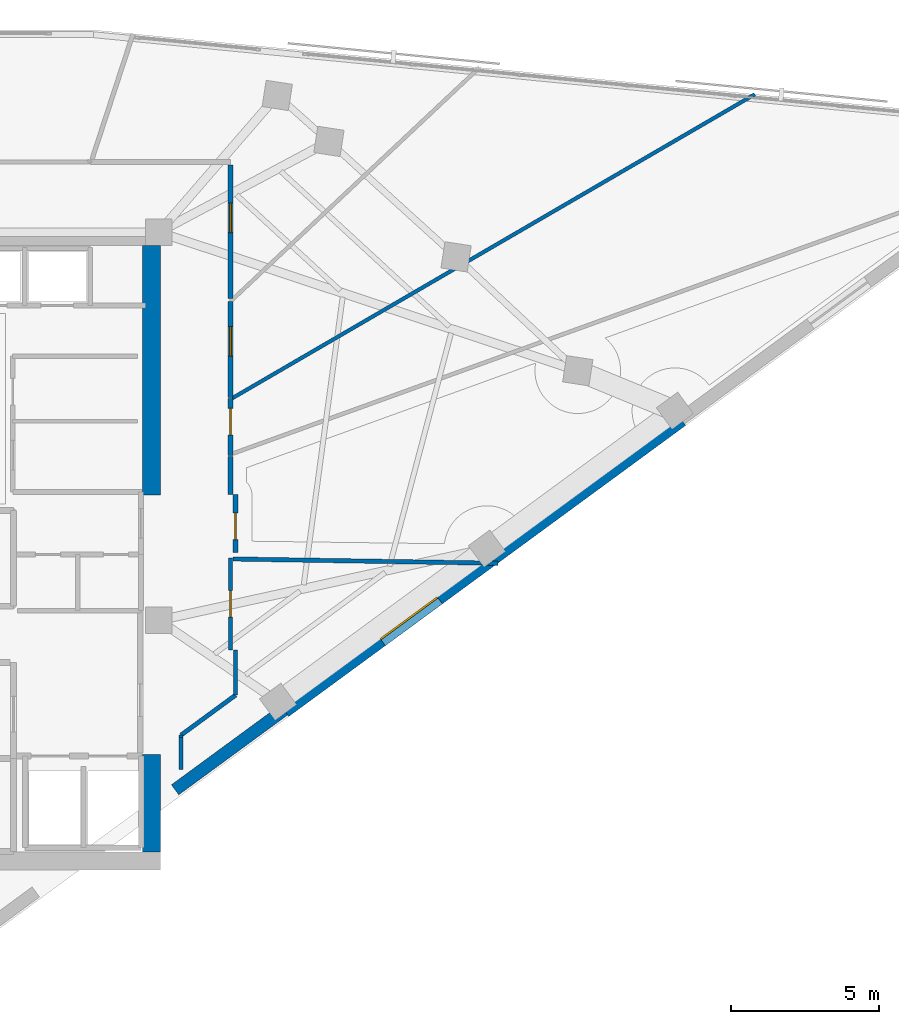
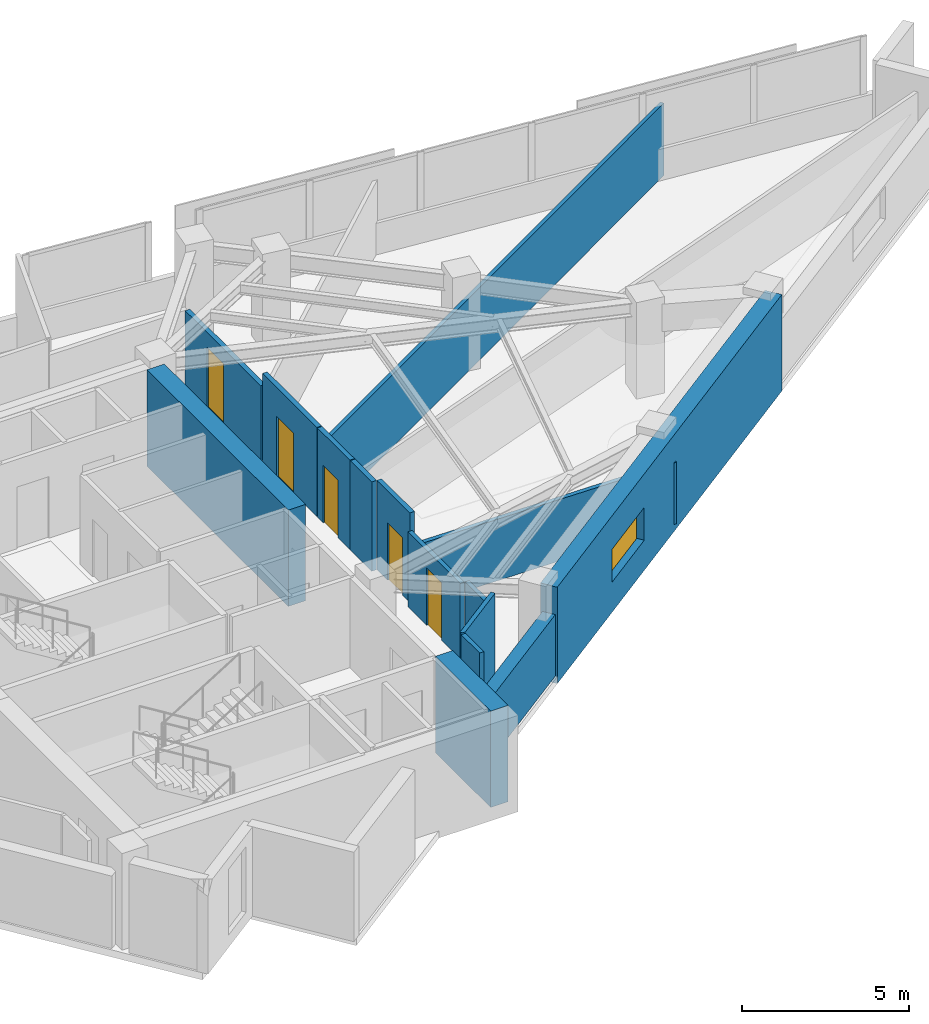
# One storey, part 11 of 14: 16 walls, 5 doors, 1 window, 6 openings.
"""IFC4 building model written with IfcOpenShell, lengths in metres."""

from ifc_helpers import new_model, si_unit, direction, frame, frame_2d, origin, place, context, subcontext, project, spatial, rectangle, extrude, material, layer, layer_set, type_object, element, fill, save


model = new_model("IFC4")

# Units and contexts
model_context = context("Model", 3, precision=1e-05, world=origin(), true_north=direction((0.0, 1.0)))
body_context = subcontext(model_context, "Body", "Model", "MODEL_VIEW")
ifc_project = project(units=[si_unit("LENGTHUNIT", "METRE"), si_unit("AREAUNIT", "SQUARE_METRE"), si_unit("VOLUMEUNIT", "CUBIC_METRE"), si_unit("PLANEANGLEUNIT", "RADIAN"), si_unit("MASSUNIT", "GRAM", prefix="KILO")], contexts=[model_context])

# Site, building, storey
site_placement = place(None, origin())
site = spatial("IfcSite", under=ifc_project, at=site_placement, CompositionType="ELEMENT")
building_placement = place(site_placement, origin())
building = spatial("IfcBuilding", under=site, at=building_placement, Name="Narakoshi Arena Tower", CompositionType="ELEMENT")
storey_placement = place(building_placement, frame((0.0, 0.0, 250.179931640625)))
storey = spatial("IfcBuildingStorey", under=building, at=storey_placement, Name="L68", CompositionType="ELEMENT", Elevation=250.179931640625)

# Walls
ifc_material_1 = material(Name="Concrete C50/60", Category="concrete")
ifc_layer_1 = layer(ifc_material_1, 0.60009765625)
ifc_layer_set_1 = layer_set([ifc_layer_1], Name="Concrete C50/60")
wall_type_1 = type_object("IfcWallType", Name="WL-CORE-600", PredefinedType="SHEAR", material=ifc_layer_set_1)
wall_1_placement = place(storey_placement, frame((85.300048828125, 35.5, -0.260009765625), z_axis=(0.0, 0.0, 1.0), x_axis=(0.0, 1.0, 0.0)))
element("IfcWall", 1, at=wall_1_placement, inside=storey, type_object=wall_type_1, Name="L68 Central Core Shear Wall CW-APX-E", PredefinedType="SHEAR", context=body_context, shape_type="SweptSolid", body=[
    extrude(rectangle(XDim=3.300048828125, YDim=0.60009765625, at=frame_2d((1.64990234375, 0.0))), origin(), (0.0, 0.0, 1.0), 3.52001953125),
])
wall_2_placement = place(storey_placement, frame((85.300048828125, 47.60009765625, -0.260009765625), z_axis=(0.0, 0.0, 1.0), x_axis=(0.0, 1.0, 0.0)))
element("IfcWall", 2, at=wall_2_placement, inside=storey, type_object=wall_type_1, Name="L68 Main Core Shear Wall CW-MN-E", PredefinedType="SHEAR", context=body_context, shape_type="SweptSolid", body=[
    extrude(rectangle(XDim=8.449951171875, YDim=0.60009765625, at=frame_2d((4.22509765625, 0.0))), origin(), (0.0, 0.0, 1.0), 3.52001953125),
])

# Wall, opening, door
ifc_material_2 = material(Name="Gypsum plasterboard fire-rated partition")
ifc_layer_2 = layer(ifc_material_2, 0.1650390625)
ifc_layer_set_2 = layer_set([ifc_layer_2], Name="Gypsum plasterboard fire-rated partition")
wall_type_2 = type_object("IfcWallType", Name="WL-CORR-165", PredefinedType="PARTITIONING", material=ifc_layer_set_2)
wall_3_placement = place(storey_placement, frame((87.976318359375, 48.934326171875, 0.0), z_axis=(0.0, 0.0, 1.0), x_axis=(0.0, 1.0, 0.0)))
wall_3 = element("IfcWall", 3, at=wall_3_placement, inside=storey, type_object=wall_type_2, Name="L68 Corridor Partition 03-1", PredefinedType="PARTITIONING", context=body_context, shape_type="SweptSolid", body=[
    extrude(rectangle(XDim=1.939697265625, YDim=0.1650390625, at=frame_2d((0.9697265625, 0.0))), origin(), (0.0, 0.0, 1.0), 3.260009765625),
])
opening_1_placement = place(wall_3_placement, frame((0.698974609375, 0.0, 0.0)))
opening_1 = element("IfcOpeningElement", 4, at=opening_1_placement, cuts=wall_3, Name="Opening D-08", PredefinedType="OPENING", context=body_context, shape_type="SweptSolid", body=[
    extrude(rectangle(XDim=0.89990234375, YDim=2.10009765625, at=frame_2d((0.449951171875, 1.050048828125))), frame((0.0, 0.092529296875, 0.0), z_axis=(0.0, -1.0, 0.0), x_axis=(1.0, 0.0, 0.0)), (0.0, 0.0, 1.0), 0.18505859375),
])
ifc_material_3 = material(Name="Moisture-resistant laminate timber", Category="wood")
door_type_1 = type_object("IfcDoorType", Name="DR-WC-900", OperationType="NOTDEFINED", PredefinedType="DOOR", material=ifc_material_3)
door_1_placement = place(opening_1_placement, frame((0.89990234375, 0.0, 0.0), z_axis=(0.0, 0.0, 1.0), x_axis=(-1.0, 0.0, 0.0)))
door_1 = element("IfcDoor", 5, at=door_1_placement, inside=storey, type_object=door_type_1, Name="DR-L68-019", OperationType="SINGLE_SWING_RIGHT", OverallHeight=2.10009765625, OverallWidth=0.89990234375, PredefinedType="DOOR", context=body_context, shape_type="SweptSolid", body=[
    extrude(rectangle(XDim=0.89990234375, YDim=2.10009765625, at=frame_2d((0.449951171875, 1.050048828125))), frame((0.0, 0.02490234375, 0.0), z_axis=(0.0, -1.0, 0.0), x_axis=(1.0, 0.0, 0.0)), (0.0, 0.0, 1.0), 0.050048828125),
])
fill(opening_1, door_1)

wall_4_placement = place(storey_placement, frame((88.14990234375, 45.64990234375, 0.0), z_axis=(0.0, 0.0, 1.0), x_axis=(0.0, 1.0, 0.0)))
wall_4 = element("IfcWall", 6, at=wall_4_placement, inside=storey, type_object=wall_type_2, Name="L68 Corridor Partition 04-1", PredefinedType="PARTITIONING", context=body_context, shape_type="SweptSolid", body=[
    extrude(rectangle(XDim=1.97021484375, YDim=0.1650390625, at=frame_2d((0.985107421875, 0.0))), origin(), (0.0, 0.0, 1.0), 3.260009765625),
])
opening_2_placement = place(wall_4_placement, frame((0.4345703125, 0.0, 0.0)))
opening_2 = element("IfcOpeningElement", 7, at=opening_2_placement, cuts=wall_4, Name="Opening D-08", PredefinedType="OPENING", context=body_context, shape_type="SweptSolid", body=[
    extrude(rectangle(XDim=0.89990234375, YDim=2.10009765625, at=frame_2d((0.449951171875, 1.050048828125))), frame((0.0, 0.092529296875, 0.0), z_axis=(0.0, -1.0, 0.0), x_axis=(1.0, 0.0, 0.0)), (0.0, 0.0, 1.0), 0.18505859375),
])
door_2_placement = place(opening_2_placement, frame((0.89990234375, 0.0, 0.0), z_axis=(0.0, 0.0, 1.0), x_axis=(-1.0, 0.0, 0.0)))
door_2 = element("IfcDoor", 8, at=door_2_placement, inside=storey, type_object=door_type_1, Name="DR-L68-020", OperationType="SINGLE_SWING_LEFT", OverallHeight=2.10009765625, OverallWidth=0.89990234375, PredefinedType="DOOR", context=body_context, shape_type="SweptSolid", body=[
    extrude(rectangle(XDim=0.89990234375, YDim=2.10009765625, at=frame_2d((0.449951171875, 1.050048828125))), frame((0.0, 0.02490234375, 0.0), z_axis=(0.0, -1.0, 0.0), x_axis=(1.0, 0.0, 0.0)), (0.0, 0.0, 1.0), 0.050048828125),
])
fill(opening_2, door_2)

# Wall
wall_5_placement = place(storey_placement, frame((87.976318359375, 47.6201171875, 0.0), z_axis=(0.0, 0.0, 1.0), x_axis=(0.0, 1.0, 0.0)))
element("IfcWall", 9, at=wall_5_placement, inside=storey, type_object=wall_type_2, Name="L68 Corridor Partition 04-2", PredefinedType="PARTITIONING", context=body_context, shape_type="SweptSolid", body=[
    extrude(rectangle(XDim=1.28857421875, YDim=0.1650390625, at=frame_2d((0.644287109375, 0.0))), origin(), (0.0, 0.0, 1.0), 3.260009765625),
])

# Wall, opening, door
wall_6_placement = place(storey_placement, frame((87.976318359375, 50.901611328125, 0.0), z_axis=(0.0, 0.0, 1.0), x_axis=(0.0, 1.0, 0.0)))
wall_6 = element("IfcWall", 10, at=wall_6_placement, inside=storey, type_object=wall_type_2, Name="L68 Corridor Partition 05-1", PredefinedType="PARTITIONING", context=body_context, shape_type="SweptSolid", body=[
    extrude(rectangle(XDim=3.254150390625, YDim=0.1650390625, at=frame_2d((1.626953125, 0.0))), origin(), (0.0, 0.0, 1.0), 3.260009765625),
])
opening_3_placement = place(wall_6_placement, frame((1.405029296875, 0.0, 0.0)))
opening_3 = element("IfcOpeningElement", 11, at=opening_3_placement, cuts=wall_6, Name="Opening D-06", PredefinedType="OPENING", context=body_context, shape_type="SweptSolid", body=[
    extrude(rectangle(XDim=1.0, YDim=2.199951171875, at=frame_2d((0.5, 1.10009765625))), frame((0.0, 0.092529296875, 0.0), z_axis=(0.0, -1.0, 0.0), x_axis=(1.0, 0.0, 0.0)), (0.0, 0.0, 1.0), 0.18505859375),
])
ifc_material_4 = material(Name="Stained oak solid-core timber", Category="wood")
door_type_2 = type_object("IfcDoorType", Name="DR-OFF-1000", OperationType="NOTDEFINED", PredefinedType="DOOR", material=ifc_material_4)
door_3_placement = place(opening_3_placement, frame((1.0, 0.0, 0.0), z_axis=(0.0, 0.0, 1.0), x_axis=(-1.0, 0.0, 0.0)))
door_3 = element("IfcDoor", 12, at=door_3_placement, inside=storey, type_object=door_type_2, Name="DR-L68-021", OperationType="SINGLE_SWING_RIGHT", OverallHeight=2.199951171875, OverallWidth=1.0, PredefinedType="DOOR", context=body_context, shape_type="SweptSolid", body=[
    extrude(rectangle(XDim=1.0, YDim=2.199951171875, at=frame_2d((0.5, 1.10009765625))), frame((0.0, 0.02490234375, 0.0), z_axis=(0.0, -1.0, 0.0), x_axis=(1.0, 0.0, 0.0)), (0.0, 0.0, 1.0), 0.050048828125),
])
fill(opening_3, door_3)

wall_7_placement = place(storey_placement, frame((87.976318359375, 54.2578125, 0.0), z_axis=(0.0, 0.0, 1.0), x_axis=(0.0, 1.0, 0.0)))
wall_7 = element("IfcWall", 13, at=wall_7_placement, inside=storey, type_object=wall_type_2, Name="L68 Corridor Partition 06-2", PredefinedType="PARTITIONING", context=body_context, shape_type="SweptSolid", body=[
    extrude(rectangle(XDim=4.524169921875, YDim=0.1650390625, at=frame_2d((2.26220703125, 0.0))), origin(), (0.0, 0.0, 1.0), 2.7451171875),
])
opening_4_placement = place(wall_7_placement, frame((2.230712890625, 0.0, 0.0)))
opening_4 = element("IfcOpeningElement", 14, at=opening_4_placement, cuts=wall_7, Name="Opening D-06", PredefinedType="OPENING", context=body_context, shape_type="SweptSolid", body=[
    extrude(rectangle(XDim=1.0, YDim=2.199951171875, at=frame_2d((0.5, 1.10009765625))), frame((0.0, 0.092529296875, 0.0), z_axis=(0.0, -1.0, 0.0), x_axis=(1.0, 0.0, 0.0)), (0.0, 0.0, 1.0), 0.18505859375),
])
door_4_placement = place(opening_4_placement, frame((1.0, 0.0, 0.0), z_axis=(0.0, 0.0, 1.0), x_axis=(-1.0, 0.0, 0.0)))
door_4 = element("IfcDoor", 15, at=door_4_placement, inside=storey, type_object=door_type_2, Name="DR-L68-022", OperationType="SINGLE_SWING_LEFT", OverallHeight=2.199951171875, OverallWidth=1.0, PredefinedType="DOOR", context=body_context, shape_type="SweptSolid", body=[
    extrude(rectangle(XDim=1.0, YDim=2.199951171875, at=frame_2d((0.5, 1.10009765625))), frame((0.0, 0.02490234375, 0.0), z_axis=(0.0, -1.0, 0.0), x_axis=(1.0, 0.0, 0.0)), (0.0, 0.0, 1.0), 0.050048828125),
])
fill(opening_4, door_4)

# Wall, opening, window
ifc_layer_3 = layer(ifc_material_1, 0.550048828125)
ifc_layer_set_3 = layer_set([ifc_layer_3], Name="Concrete C50/60")
wall_type_3 = type_object("IfcWallType", Name="WL-LEG-550", PredefinedType="SHEAR", material=ifc_layer_set_3)
wall_8_placement = place(storey_placement, frame((89.79052734375, 40.31640625, -0.260009765625), z_axis=(0.0, 0.0, 1.0), x_axis=(0.806449218078, 0.591303355868, 0.0)))
wall_8 = element("IfcWall", 16, at=wall_8_placement, inside=storey, type_object=wall_type_3, Name="L68 Architectural Concrete Structural Wall LEGA-3", PredefinedType="SHEAR", context=body_context, shape_type="SweptSolid", body=[
    extrude(rectangle(XDim=16.673095703125, YDim=0.550048828125, at=frame_2d((8.33642578125, 0.0))), origin(), (0.0, 0.0, 1.0), 3.52001953125),
])
opening_5_placement = place(wall_8_placement, frame((4.0537109375, 0.0, 1.10009765625)))
opening_5 = element("IfcOpeningElement", 17, at=opening_5_placement, cuts=wall_8, Name="Opening WN-04", PredefinedType="OPENING", context=body_context, shape_type="SweptSolid", body=[
    extrude(rectangle(XDim=2.39990234375, YDim=1.199951171875, at=frame_2d((1.199951171875, 0.60009765625))), frame((0.0, 0.284912109375, 0.0), z_axis=(0.0, -1.0, 0.0), x_axis=(1.0, 0.0, 0.0)), (0.0, 0.0, 1.0), 0.570068359375),
])
ifc_material_5 = material(Name="Bronze-tinted low-E laminated glass", Category="glass")
window_type = type_object("IfcWindowType", Name="WIN-SLT-24x12", PartitioningType="SINGLE_PANEL", PredefinedType="WINDOW", material=ifc_material_5)
window_placement = place(opening_5_placement, origin())
window = element("IfcWindow", 18, at=window_placement, inside=storey, type_object=window_type, Name="L68 LEGA3 Horizontal Slot Window 1", OverallHeight=1.199951171875, OverallWidth=2.39990234375, PartitioningType="SINGLE_PANEL", PredefinedType="WINDOW", context=body_context, shape_type="SweptSolid", body=[
    extrude(rectangle(XDim=2.39990234375, YDim=1.199951171875, at=frame_2d((1.199951171875, 0.60009765625))), frame((0.0, 0.030029296875, 0.0), z_axis=(0.0, -1.0, 0.0), x_axis=(1.0, 0.0, 0.0)), (0.0, 0.0, 1.0), 0.06005859375),
])
fill(opening_5, window)

# Walls
ifc_layer_4 = layer(ifc_material_2, 0.125)
ifc_layer_set_4 = layer_set([ifc_layer_4], Name="Gypsum plasterboard fire-rated partition")
wall_type_4 = type_object("IfcWallType", Name="WL-PART-125", PredefinedType="PARTITIONING", material=ifc_layer_set_4)
wall_9_placement = place(storey_placement, frame((88.03173828125, 50.8740234375, 0.0), z_axis=(0.0, 0.0, 1.0), x_axis=(0.864436485223, 0.502742044209, 0.0)))
element("IfcWall", 19, at=wall_9_placement, inside=storey, type_object=wall_type_4, Name="L68 Inter-Room Partition 03-05", PredefinedType="PARTITIONING", context=body_context, shape_type="SweptSolid", body=[
    extrude(rectangle(XDim=20.4853515625, YDim=0.125, at=frame_2d((10.24267578125, 0.0))), origin(), (0.0, 0.0, 1.0), 2.64501953125),
])
ifc_material_6 = material(Name="Precast concrete C45/55", Category="concrete")
ifc_layer_5 = layer(ifc_material_6, 0.419921875)
ifc_layer_set_5 = layer_set([ifc_layer_5], Name="Precast concrete C45/55")
wall_type_5 = type_object("IfcWallType", Name="WL-POD-420", PredefinedType="SOLIDWALL", material=ifc_layer_set_5)
wall_10_placement = place(storey_placement, frame((86.10009765625, 37.6103515625, 0.0), z_axis=(0.0, 0.0, 1.0), x_axis=(0.806432132361, 0.591326657521, 0.0)))
element("IfcWall", 20, at=wall_10_placement, inside=storey, type_object=wall_type_5, Name="L68 Architectural Concrete Facade Wall LEGA-2", PredefinedType="SOLIDWALL", context=body_context, shape_type="SweptSolid", body=[
    extrude(rectangle(XDim=4.576171875, YDim=0.419921875, at=frame_2d((2.2880859375, 0.0))), origin(), (0.0, 0.0, 1.0), 2.2451171875),
])

# Wall, opening, door
ifc_material_7 = material(Name="Moisture-resistant cement-board partition")
ifc_layer_6 = layer(ifc_material_7, 0.14501953125)
ifc_layer_set_6 = layer_set([ifc_layer_6], Name="Moisture-resistant cement-board partition")
wall_type_6 = type_object("IfcWallType", Name="WL-WET-145", PredefinedType="PARTITIONING", material=ifc_layer_set_6)
wall_11_placement = place(storey_placement, frame((87.976318359375, 42.35009765625, 0.0), z_axis=(0.0, 0.0, 1.0), x_axis=(0.0, 1.0, 0.0)))
wall_11 = element("IfcWall", 21, at=wall_11_placement, inside=storey, type_object=wall_type_6, Name="L68 Corridor Partition 02-1", PredefinedType="PARTITIONING", context=body_context, shape_type="SweptSolid", body=[
    extrude(rectangle(XDim=3.117919921875, YDim=0.14501953125, at=frame_2d((1.55908203125, 0.0))), origin(), (0.0, 0.0, 1.0), 2.7451171875),
])
opening_6_placement = place(wall_11_placement, frame((1.10888671875, 0.0, 0.0)))
opening_6 = element("IfcOpeningElement", 22, at=opening_6_placement, cuts=wall_11, Name="Opening D-08", PredefinedType="OPENING", context=body_context, shape_type="SweptSolid", body=[
    extrude(rectangle(XDim=0.89990234375, YDim=2.10009765625, at=frame_2d((0.449951171875, 1.050048828125))), frame((0.0, 0.08251953125, 0.0), z_axis=(0.0, -1.0, 0.0), x_axis=(1.0, 0.0, 0.0)), (0.0, 0.0, 1.0), 0.1650390625),
])
door_5_placement = place(opening_6_placement, frame((0.89990234375, 0.0, 0.0), z_axis=(0.0, 0.0, 1.0), x_axis=(-1.0, 0.0, 0.0)))
door_5 = element("IfcDoor", 23, at=door_5_placement, inside=storey, type_object=door_type_1, Name="DR-L68-018", OperationType="SINGLE_SWING_LEFT", OverallHeight=2.10009765625, OverallWidth=0.89990234375, PredefinedType="DOOR", context=body_context, shape_type="SweptSolid", body=[
    extrude(rectangle(XDim=0.89990234375, YDim=2.10009765625, at=frame_2d((0.449951171875, 1.050048828125))), frame((0.0, 0.02490234375, 0.0), z_axis=(0.0, -1.0, 0.0), x_axis=(1.0, 0.0, 0.0)), (0.0, 0.0, 1.0), 0.050048828125),
])
fill(opening_6, door_5)

# Walls
wall_12_placement = place(storey_placement, frame((86.300048828125, 39.4619140625, 0.0), z_axis=(0.0, 0.0, 1.0), x_axis=(0.80642868075, 0.591331364689, 0.0)))
element("IfcWall", 24, at=wall_12_placement, inside=storey, type_object=wall_type_6, Name="L68 Corridor Partition 02-2", PredefinedType="PARTITIONING", context=body_context, shape_type="SweptSolid", body=[
    extrude(rectangle(XDim=2.2939453125, YDim=0.14501953125, at=frame_2d((1.14697265625, 0.0))), origin(), (0.0, 0.0, 1.0), 3.260009765625),
])
wall_13_placement = place(storey_placement, frame((88.14990234375, 40.818359375, 0.0), z_axis=(0.0, 0.0, 1.0), x_axis=(0.0, 1.0, 0.0)))
element("IfcWall", 25, at=wall_13_placement, inside=storey, type_object=wall_type_6, Name="L68 Corridor Partition 02-3", PredefinedType="PARTITIONING", context=body_context, shape_type="SweptSolid", body=[
    extrude(rectangle(XDim=1.53173828125, YDim=0.14501953125, at=frame_2d((0.765869140625, 0.0))), origin(), (0.0, 0.0, 1.0), 2.7451171875),
])
wall_14_placement = place(storey_placement, frame((86.300048828125, 39.3876953125, 0.0), z_axis=(0.0, 0.0, 1.0), x_axis=(0.0, 1.0, 0.0)))
element("IfcWall", 26, at=wall_14_placement, inside=storey, type_object=wall_type_6, Name="L68 Corridor Partition 02-4", PredefinedType="PARTITIONING", context=body_context, shape_type="SweptSolid", body=[
    extrude(rectangle(XDim=0.07421875, YDim=0.14501953125, at=frame_2d((0.037109375, 0.0))), origin(), (0.0, 0.0, 1.0), 3.260009765625),
])
wall_15_placement = place(storey_placement, frame((88.060791015625, 45.430419921875, 0.0), z_axis=(0.0, 0.0, 1.0), x_axis=(0.99986939291, -0.01616159404, 0.0)))
element("IfcWall", 27, at=wall_15_placement, inside=storey, type_object=wall_type_6, Name="L68 Inter-Room Partition 02-04", PredefinedType="PARTITIONING", context=body_context, shape_type="SweptSolid", body=[
    extrude(rectangle(XDim=8.97314453125, YDim=0.14501953125, at=frame_2d((4.486572265625, 0.0))), origin(), (0.0, 0.0, 1.0), 2.2451171875),
])
wall_16_placement = place(storey_placement, frame((86.300048828125, 38.290283203125, 0.0), z_axis=(0.0, 0.0, 1.0), x_axis=(0.0, 1.0, 0.0)))
element("IfcWall", 28, at=wall_16_placement, inside=storey, type_object=wall_type_6, Name="L68 Room Enclosure Partition 02-1", PredefinedType="PARTITIONING", context=body_context, shape_type="SweptSolid", body=[
    extrude(rectangle(XDim=1.097412109375, YDim=0.14501953125, at=frame_2d((0.548828125, 0.0))), origin(), (0.0, 0.0, 1.0), 3.260009765625),
])

save(model, "model.ifc")
